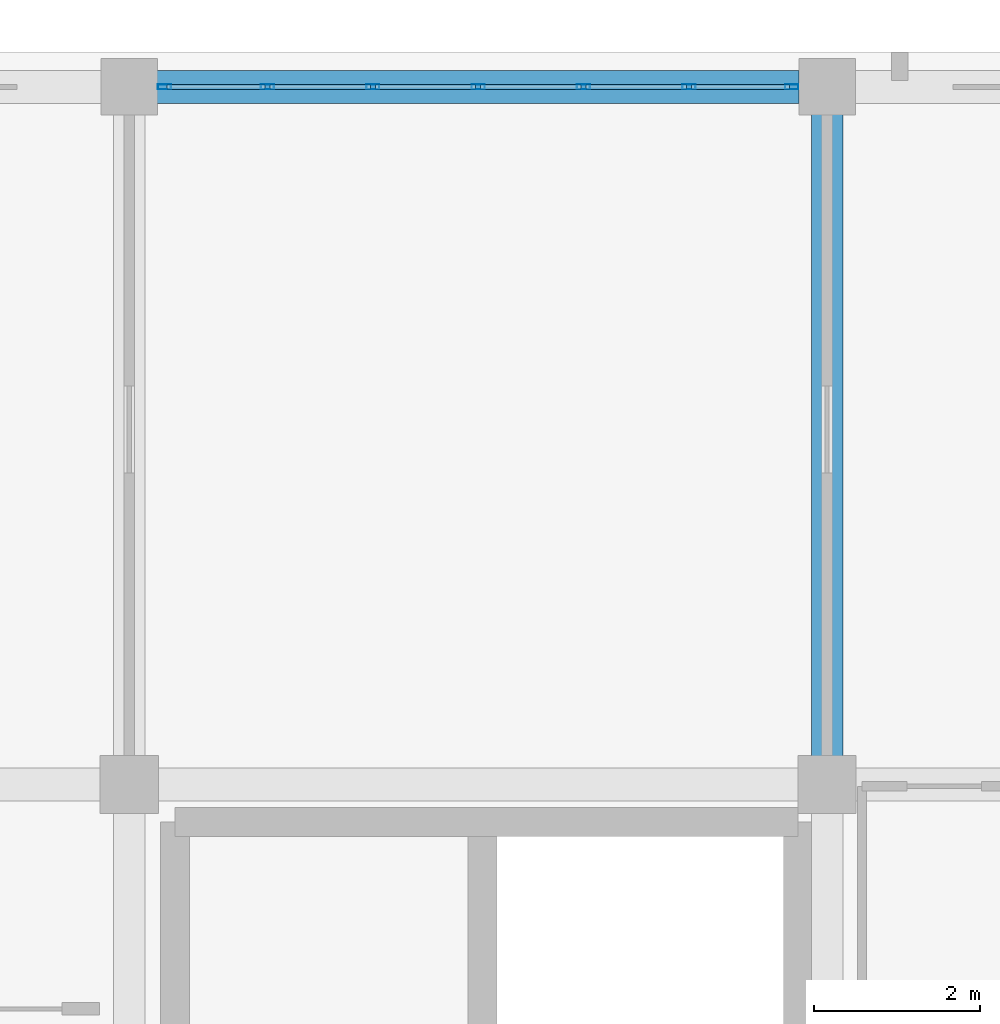
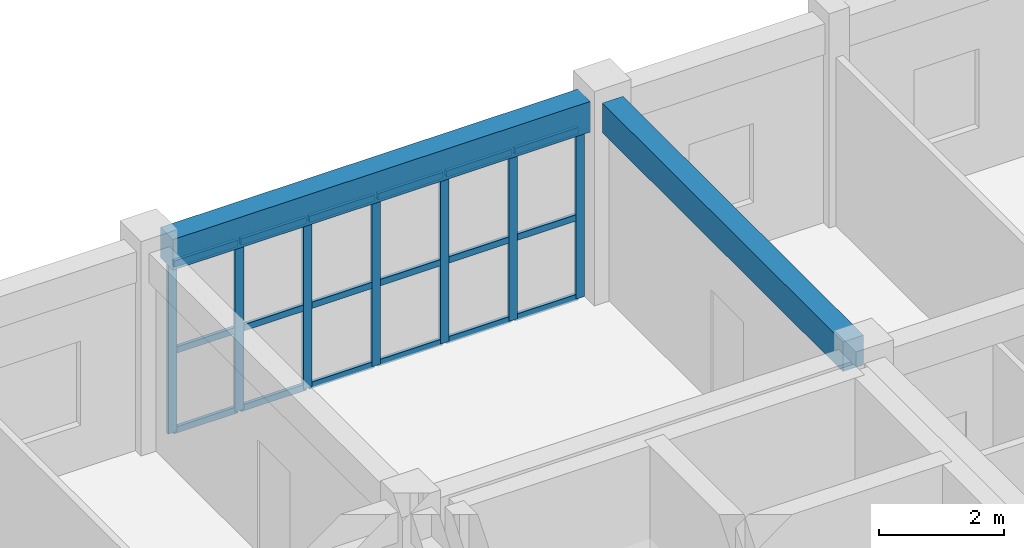
# One storey, part 56 of 140: 25 members, 2 beams, 1 element without a shape of its own.
"""IFC4 building model written with IfcOpenShell, lengths in metres."""

import ifcopenshell
import ifcopenshell.guid

model = None  # the IFC model being written
_history = None  # IfcOwnerHistory: only IFC2X3 demands one
_inside = {}  # id of a spatial element -> (the spatial element, [elements in it])
_under = {}  # id of a project, library or spatial element -> (it, [spatial elements below it])
_declared = {}  # id of a project -> (the project, [libraries it declares])
_typed = {}  # id of a type object -> (the type object, [elements of that type])
_made_of = {}  # id of a material, layer set ... -> (it, [elements and type objects made of it])


def new_model(schema):
    """Start an empty IFC model of exactly this schema.

    Asked for "IFC4X3", IfcOpenShell would pick the latest addendum, in which some entities
    have other attributes; the version numbers below select the first issue.
    IFC2X3 requires an IfcOwnerHistory on every rooted entity: one is made here for all.
    """
    global model, _history
    if schema == "IFC4X3":
        model = ifcopenshell.file(schema_version=(4, 3, 0, 0))
    else:
        model = ifcopenshell.file(schema=schema)
    _inside.clear()
    _under.clear()
    _declared.clear()
    _typed.clear()
    _made_of.clear()
    _history = None
    if model.schema == "IFC2X3":
        org = make("IfcOrganization", Name="unknown")
        user = make(
            "IfcPersonAndOrganization",
            ThePerson=make("IfcPerson", FamilyName="unknown"),
            TheOrganization=org,
        )
        app = make(
            "IfcApplication",
            ApplicationDeveloper=org,
            Version="unknown",
            ApplicationFullName="unknown",
            ApplicationIdentifier="unknown",
        )
        _history = make(
            "IfcOwnerHistory",
            OwningUser=user,
            OwningApplication=app,
            ChangeAction="ADDED",
            CreationDate=0,
        )
    return model


def make(cls, **values):
    """One entity of the class cls with the attributes given. An attribute that is None is left unset."""
    return model.create_entity(
        cls, **{name: value for name, value in values.items() if value is not None}
    )


def rooted(cls, **values):
    """An entity with a GlobalId (a new one), such as an element, a storey or a relation."""
    return make(cls, GlobalId=ifcopenshell.guid.new(), OwnerHistory=_history, **values)


def si_unit(unit_type, name, prefix=None):
    """IfcSIUnit, for example si_unit("LENGTHUNIT", "METRE", prefix="MILLI")."""
    return make("IfcSIUnit", UnitType=unit_type, Prefix=prefix, Name=name)


def assignment(units):
    """IfcUnitAssignment: the units of a project."""
    return None if units is None else make("IfcUnitAssignment", Units=units)


def point(xyz):
    """IfcCartesianPoint."""
    return None if xyz is None else make("IfcCartesianPoint", Coordinates=xyz)


def direction(xyz):
    """IfcDirection."""
    return None if xyz is None else make("IfcDirection", DirectionRatios=xyz)


def frame(location, z_axis=None, x_axis=None):
    """IfcAxis2Placement3D, a coordinate frame: its origin and axes. An axis left out is left unset."""
    return make(
        "IfcAxis2Placement3D",
        Location=point(location),
        Axis=direction(z_axis),
        RefDirection=direction(x_axis),
    )


def frame_2d(location, x_axis=None):
    """IfcAxis2Placement2D, a coordinate frame in the plane: its origin and x axis."""
    return make(
        "IfcAxis2Placement2D", Location=point(location), RefDirection=direction(x_axis)
    )


def origin():
    """The frame at (0, 0, 0) with its axes left unset."""
    return frame((0.0, 0.0, 0.0))


def origin_2d():
    """The frame at (0, 0) in the plane with its x axis left unset."""
    return frame_2d((0.0, 0.0))


def place(relative_to, where):
    """IfcLocalPlacement: puts the frame where relative to a parent placement (None: the world)."""
    return make(
        "IfcLocalPlacement", PlacementRelTo=relative_to, RelativePlacement=where
    )


def context(
    kind, dimensions, precision=None, world=None, true_north=None, identifier=None
):
    """IfcGeometricRepresentationContext, for example the 3D "Model" context."""
    return make(
        "IfcGeometricRepresentationContext",
        ContextIdentifier=identifier,
        ContextType=kind,
        CoordinateSpaceDimension=dimensions,
        Precision=precision,
        WorldCoordinateSystem=world,
        TrueNorth=true_north,
    )


def subcontext(parent, identifier, kind, view, scale=None):
    """IfcGeometricRepresentationSubContext, for example "Body" below "Model"."""
    return make(
        "IfcGeometricRepresentationSubContext",
        ContextIdentifier=identifier,
        ContextType=kind,
        ParentContext=parent,
        TargetScale=scale,
        TargetView=view,
    )


def project(units=None, contexts=None):
    """IfcProject with its units and contexts."""
    return rooted(
        "IfcProject",
        Name="project",
        RepresentationContexts=contexts,
        UnitsInContext=assignment(units),
    )


def spatial(cls, under=None, at=None, **own):
    """A site, building, storey or space (cls), placed at a placement, below another one or the project."""
    s = rooted(cls, ObjectPlacement=at, **own)
    if under is not None:
        _under.setdefault(under.id(), (under, []))[1].append(s)
    return s


def profile(cls, at=None, kind="AREA", **sizes):
    """A parametric profile (cls). Its sizes go by their IFC names, for example OverallWidth=200.0."""
    return make(cls, ProfileType=kind, Position=at, **sizes)


def rectangle(**sizes):
    """IfcRectangleProfileDef."""
    return profile("IfcRectangleProfileDef", **sizes)


def hollow_rectangle(**sizes):
    """IfcRectangleHollowProfileDef."""
    return profile("IfcRectangleHollowProfileDef", **sizes)


def extrude(swept, where, along, depth):
    """IfcExtrudedAreaSolid: the profile swept, set in the frame where, extruded along a direction by depth."""
    return make(
        "IfcExtrudedAreaSolid",
        SweptArea=swept,
        Position=where,
        ExtrudedDirection=direction(along),
        Depth=depth,
    )


def shape(context_of_items, identifier, shape_type, items):
    """IfcShapeRepresentation: the items that make up one representation, for example the "Body"."""
    return make(
        "IfcShapeRepresentation",
        ContextOfItems=context_of_items,
        RepresentationIdentifier=identifier,
        RepresentationType=shape_type,
        Items=items,
    )


def material(Name=None, Category=None):
    """IfcMaterial."""
    return make("IfcMaterial", Name=Name, Category=Category)


def layer(
    of_material, thickness, ventilated=None, Name=None, Category=None, Priority=None
):
    """IfcMaterialLayer: one layer of a wall or slab, of a material (None: an air gap)."""
    return make(
        "IfcMaterialLayer",
        Material=of_material,
        LayerThickness=thickness,
        IsVentilated=ventilated,
        Name=Name,
        Category=Category,
        Priority=Priority,
    )


def layer_set(layers, Name=None):
    """IfcMaterialLayerSet."""
    return make("IfcMaterialLayerSet", MaterialLayers=layers, LayerSetName=Name)


def material_profile(
    of_material, cross_section, Name=None, Category=None, Priority=None
):
    """IfcMaterialProfile: a cross section and its material."""
    return make(
        "IfcMaterialProfile",
        Name=Name,
        Material=of_material,
        Profile=cross_section,
        Priority=Priority,
        Category=Category,
    )


def profile_set(profiles, Name=None, composite=None):
    """IfcMaterialProfileSet."""
    return make(
        "IfcMaterialProfileSet",
        Name=Name,
        MaterialProfiles=profiles,
        CompositeProfile=composite,
    )


def made_of(thing, what):
    """Note that an element or type object is made of a material, layer set ...; save() writes the relation."""
    if what is not None:
        _made_of.setdefault(what.id(), (what, []))[1].append(thing)
    return thing


def type_object(cls, material=None, **own):
    """A type object (cls), such as IfcWallType, which elements share."""
    return made_of(rooted(cls, **own), material)


def element(
    cls,
    number,
    at=None,
    inside=None,
    cuts=None,
    type_object=None,
    material=None,
    context=None,
    identifier="Body",
    shape_type=None,
    held_by="IfcProductDefinitionShape",
    body=None,
    shapes=None,
    **own,
):
    """One element of the class cls, such as IfcWall. Its Tag is "e" and its number.

    at: its placement. inside: the storey or other place that contains it. cuts: it is an
    opening in that element (IfcRelVoidsElement). A single representation is given by context,
    identifier, shape_type and body (its items); several are given by shapes. held_by: the class
    of the entity that holds the representations. save() writes the other relations.
    """
    e = rooted(cls, Tag="e%d" % number, ObjectPlacement=at, **own)
    if body is not None:
        shapes = [shape(context, identifier, shape_type, body)]
    if shapes is not None:
        e.Representation = make(held_by, Representations=shapes)
    if inside is not None:
        _inside.setdefault(inside.id(), (inside, []))[1].append(e)
    if cuts is not None:
        rooted(
            "IfcRelVoidsElement", RelatingBuildingElement=cuts, RelatedOpeningElement=e
        )
    if type_object is not None:
        _typed.setdefault(type_object.id(), (type_object, []))[1].append(e)
    return made_of(e, material)


def aggregate(whole, parts):
    """IfcRelAggregates: a whole, such as a stair, and the parts it consists of."""
    return rooted("IfcRelAggregates", RelatingObject=whole, RelatedObjects=parts)


def save(model, path):
    """Write the relations noted so far, then the file.

    IfcRelAggregates (storeys below a building ...), IfcRelContainedInSpatialStructure (elements
    in a storey), IfcRelDefinesByType, IfcRelAssociatesMaterial and IfcRelDeclares: one each for
    every whole, place, type object, material and project.
    """
    for whole, parts in _under.values():
        aggregate(whole, parts)
    for where, things in _inside.values():
        rooted(
            "IfcRelContainedInSpatialStructure",
            RelatedElements=things,
            RelatingStructure=where,
        )
    for kind, things in _typed.values():
        rooted("IfcRelDefinesByType", RelatedObjects=things, RelatingType=kind)
    for what, things in _made_of.values():
        rooted("IfcRelAssociatesMaterial", RelatedObjects=things, RelatingMaterial=what)
    for by, libraries in _declared.values():
        rooted("IfcRelDeclares", RelatingContext=by, RelatedDefinitions=libraries)
    model.write(path)


model = new_model("IFC4")

# Units and contexts
model_context = context("Model", 3, precision=1e-05, world=origin(), true_north=direction((0.0, 1.0)))
body_context = subcontext(model_context, "Body", "Model", "MODEL_VIEW")
ifc_project = project(units=[si_unit("LENGTHUNIT", "METRE"), si_unit("AREAUNIT", "SQUARE_METRE"), si_unit("VOLUMEUNIT", "CUBIC_METRE"), si_unit("PLANEANGLEUNIT", "RADIAN"), si_unit("MASSUNIT", "GRAM", prefix="KILO")], contexts=[model_context])

# Site, building, storey
site_placement = place(None, origin())
site = spatial("IfcSite", under=ifc_project, at=site_placement, CompositionType="ELEMENT")
building_placement = place(site_placement, origin())
building = spatial("IfcBuilding", under=site, at=building_placement, Name="Trelvath General Hospital", CompositionType="ELEMENT")
storey_placement = place(building_placement, frame((0.0, 0.0, 16.199951171875)))
storey = spatial("IfcBuildingStorey", under=building, at=storey_placement, Name="L04", CompositionType="ELEMENT", Elevation=16.199951171875)

# Beams
ifc_material_1 = material(Name="Concrete C35/45", Category="concrete")
ifc_material_profile_1 = material_profile(ifc_material_1, rectangle(XDim=0.3798828125, YDim=0.580078125, at=origin_2d()), Name="RCB380x580")
ifc_profile_set_1 = profile_set([ifc_material_profile_1], Name="Concrete C35/45")
beam_type_1 = type_object("IfcBeamType", Name="Beam RC380x580", PredefinedType="BEAM", material=ifc_profile_set_1)
beam_1_placement = place(storey_placement, frame((50.39990234375, 109.544921875, 3.630126953125), z_axis=(0.0, 1.0, 0.0), x_axis=(-1.0, 0.0, 0.0)))
element("IfcBeam", 1, at=beam_1_placement, inside=storey, type_object=beam_type_1, Name="Grid Beam BY-406N", PredefinedType="BEAM", context=body_context, shape_type="SweptSolid", body=[
    extrude(rectangle(XDim=0.3798828125, YDim=0.580078125, at=origin_2d()), origin(), (0.0, 0.0, 1.0), 7.719970703125),
])
ifc_material_2 = material(Name="Concrete C35/45", Category="concrete")
ifc_material_profile_2 = material_profile(ifc_material_2, rectangle(XDim=0.39990234375, YDim=0.60009765625, at=origin_2d()), Name="RCB400x600")
ifc_profile_set_2 = profile_set([ifc_material_profile_2], Name="Concrete C35/45")
beam_type_2 = type_object("IfcBeamType", Name="Beam RC400x600", PredefinedType="BEAM", material=ifc_profile_set_2)
beam_2_placement = place(storey_placement, frame((42.3349609375, 117.60009765625, 3.6201171875), z_axis=(1.0, 0.0, 0.0), x_axis=(0.0, 1.0, 0.0)))
element("IfcBeam", 2, at=beam_2_placement, inside=storey, type_object=beam_type_2, Name="Grid Beam BX-405O", PredefinedType="BEAM", context=body_context, shape_type="SweptSolid", body=[
    extrude(rectangle(XDim=0.39990234375, YDim=0.60009765625, at=origin_2d()), origin(), (0.0, 0.0, 1.0), 7.72998046875),
])

# Curtain wall, members
ifc_material_3 = material(Name="Anodised aluminium and low-E glass", Category="aluminium")
ifc_layer = layer(ifc_material_3, 0.14990234375)
ifc_layer_set = layer_set([ifc_layer], Name="Anodised aluminium and low-E glass")
curtain_wall_type = type_object("IfcCurtainWallType", Name="CW Facade 761 332 15", PredefinedType="USERDEFINED", material=ifc_layer_set)
curtain_wall_placement = place(storey_placement, origin())
curtain_wall = element("IfcCurtainWall", 3, at=curtain_wall_placement, inside=storey, type_object=curtain_wall_type, Name="Facade Curtain Wall CW-063", ObjectType="Unitised Glazed Curtain Wall", PredefinedType="USERDEFINED")
ifc_material_4 = material(Name="Anodised aluminium", Category="aluminium")
ifc_material_profile_3 = material_profile(ifc_material_4, hollow_rectangle(XDim=0.06005859375, YDim=0.159912109375, WallThickness=0.00390625, at=origin_2d()), Name="RHS60x160x4")
ifc_profile_set_3 = profile_set([ifc_material_profile_3], Name="Anodised aluminium")
member_type_1 = type_object("IfcMemberType", Name="CurtainMullion 60x160", PredefinedType="MULLION", material=ifc_profile_set_3)
member_1_placement = place(storey_placement, frame((42.425048828125, 117.60009765625, 0.0), z_axis=(0.0, 0.0, 1.0), x_axis=(0.0, 1.0, 0.0)))
member_1 = element("IfcMember", 4, at=member_1_placement, type_object=member_type_1, Name="CW-063 mullion 1", PredefinedType="MULLION", context=body_context, shape_type="SweptSolid", body=[
    extrude(hollow_rectangle(XDim=0.06005859375, YDim=0.159912109375, WallThickness=0.00390625, at=origin_2d()), origin(), (0.0, 0.0, 1.0), 3.320068359375),
])
member_2_placement = place(storey_placement, frame((43.663330078125, 117.60009765625, 0.0), z_axis=(0.0, 0.0, 1.0), x_axis=(0.0, 1.0, 0.0)))
member_2 = element("IfcMember", 5, at=member_2_placement, type_object=member_type_1, Name="CW-063 mullion 2", PredefinedType="MULLION", context=body_context, shape_type="SweptSolid", body=[
    extrude(hollow_rectangle(XDim=0.06005859375, YDim=0.159912109375, WallThickness=0.00390625, at=origin_2d()), origin(), (0.0, 0.0, 1.0), 3.320068359375),
])
member_3_placement = place(storey_placement, frame((44.931640625, 117.60009765625, 0.0), z_axis=(0.0, 0.0, 1.0), x_axis=(0.0, 1.0, 0.0)))
member_3 = element("IfcMember", 6, at=member_3_placement, type_object=member_type_1, Name="CW-063 mullion 3", PredefinedType="MULLION", context=body_context, shape_type="SweptSolid", body=[
    extrude(hollow_rectangle(XDim=0.06005859375, YDim=0.159912109375, WallThickness=0.00390625, at=origin_2d()), origin(), (0.0, 0.0, 1.0), 3.320068359375),
])
member_4_placement = place(storey_placement, frame((46.199951171875, 117.60009765625, 0.0), z_axis=(0.0, 0.0, 1.0), x_axis=(0.0, 1.0, 0.0)))
member_4 = element("IfcMember", 7, at=member_4_placement, type_object=member_type_1, Name="CW-063 mullion 4", PredefinedType="MULLION", context=body_context, shape_type="SweptSolid", body=[
    extrude(hollow_rectangle(XDim=0.06005859375, YDim=0.159912109375, WallThickness=0.00390625, at=origin_2d()), origin(), (0.0, 0.0, 1.0), 3.320068359375),
])
member_5_placement = place(storey_placement, frame((47.46826171875, 117.60009765625, 0.0), z_axis=(0.0, 0.0, 1.0), x_axis=(0.0, 1.0, 0.0)))
member_5 = element("IfcMember", 8, at=member_5_placement, type_object=member_type_1, Name="CW-063 mullion 5", PredefinedType="MULLION", context=body_context, shape_type="SweptSolid", body=[
    extrude(hollow_rectangle(XDim=0.06005859375, YDim=0.159912109375, WallThickness=0.00390625, at=origin_2d()), origin(), (0.0, 0.0, 1.0), 3.320068359375),
])
member_6_placement = place(storey_placement, frame((48.736572265625, 117.60009765625, 0.0), z_axis=(0.0, 0.0, 1.0), x_axis=(0.0, 1.0, 0.0)))
member_6 = element("IfcMember", 9, at=member_6_placement, type_object=member_type_1, Name="CW-063 mullion 6", PredefinedType="MULLION", context=body_context, shape_type="SweptSolid", body=[
    extrude(hollow_rectangle(XDim=0.06005859375, YDim=0.159912109375, WallThickness=0.00390625, at=origin_2d()), origin(), (0.0, 0.0, 1.0), 3.320068359375),
])
member_7_placement = place(storey_placement, frame((49.97509765625, 117.60009765625, 0.0), z_axis=(0.0, 0.0, 1.0), x_axis=(0.0, 1.0, 0.0)))
member_7 = element("IfcMember", 10, at=member_7_placement, type_object=member_type_1, Name="CW-063 mullion 7", PredefinedType="MULLION", context=body_context, shape_type="SweptSolid", body=[
    extrude(hollow_rectangle(XDim=0.06005859375, YDim=0.159912109375, WallThickness=0.00390625, at=origin_2d()), origin(), (0.0, 0.0, 1.0), 3.320068359375),
])
ifc_material_5 = material(Name="Anodised aluminium", Category="aluminium")
ifc_material_profile_4 = material_profile(ifc_material_5, hollow_rectangle(XDim=0.06005859375, YDim=0.125, WallThickness=0.00390625, at=origin_2d()), Name="RHS60x125x4")
ifc_profile_set_4 = profile_set([ifc_material_profile_4], Name="Anodised aluminium")
member_type_2 = type_object("IfcMemberType", Name="CurtainTransom 60x125", PredefinedType="USERDEFINED", material=ifc_profile_set_4)
member_8_placement = place(storey_placement, frame((42.455078125, 117.60009765625, 0.030029296875), z_axis=(1.0, 0.0, 0.0), x_axis=(0.0, 1.0, 0.0)))
member_8 = element("IfcMember", 11, at=member_8_placement, type_object=member_type_2, Name="CW-063 transom 1.1", ObjectType="TRANSOM", PredefinedType="USERDEFINED", context=body_context, shape_type="SweptSolid", body=[
    extrude(hollow_rectangle(XDim=0.06005859375, YDim=0.125, WallThickness=0.00390625, at=origin_2d()), origin(), (0.0, 0.0, 1.0), 1.17822265625),
])
member_9_placement = place(storey_placement, frame((42.455078125, 117.60009765625, 1.593994140625), z_axis=(1.0, 0.0, 0.0), x_axis=(0.0, 1.0, 0.0)))
member_9 = element("IfcMember", 12, at=member_9_placement, type_object=member_type_2, Name="CW-063 transom 1.2", ObjectType="TRANSOM", PredefinedType="USERDEFINED", context=body_context, shape_type="SweptSolid", body=[
    extrude(hollow_rectangle(XDim=0.06005859375, YDim=0.125, WallThickness=0.00390625, at=origin_2d()), origin(), (0.0, 0.0, 1.0), 1.17822265625),
])
member_10_placement = place(storey_placement, frame((42.455078125, 117.60009765625, 3.2900390625), z_axis=(1.0, 0.0, 0.0), x_axis=(0.0, 1.0, 0.0)))
member_10 = element("IfcMember", 13, at=member_10_placement, type_object=member_type_2, Name="CW-063 transom 1.3", ObjectType="TRANSOM", PredefinedType="USERDEFINED", context=body_context, shape_type="SweptSolid", body=[
    extrude(hollow_rectangle(XDim=0.06005859375, YDim=0.125, WallThickness=0.00390625, at=origin_2d()), origin(), (0.0, 0.0, 1.0), 1.17822265625),
])
member_11_placement = place(storey_placement, frame((43.693359375, 117.60009765625, 0.030029296875), z_axis=(1.0, 0.0, 0.0), x_axis=(0.0, 1.0, 0.0)))
member_11 = element("IfcMember", 14, at=member_11_placement, type_object=member_type_2, Name="CW-063 transom 2.1", ObjectType="TRANSOM", PredefinedType="USERDEFINED", context=body_context, shape_type="SweptSolid", body=[
    extrude(hollow_rectangle(XDim=0.06005859375, YDim=0.125, WallThickness=0.00390625, at=origin_2d()), origin(), (0.0, 0.0, 1.0), 1.208251953125),
])
member_12_placement = place(storey_placement, frame((43.693359375, 117.60009765625, 1.593994140625), z_axis=(1.0, 0.0, 0.0), x_axis=(0.0, 1.0, 0.0)))
member_12 = element("IfcMember", 15, at=member_12_placement, type_object=member_type_2, Name="CW-063 transom 2.2", ObjectType="TRANSOM", PredefinedType="USERDEFINED", context=body_context, shape_type="SweptSolid", body=[
    extrude(hollow_rectangle(XDim=0.06005859375, YDim=0.125, WallThickness=0.00390625, at=origin_2d()), origin(), (0.0, 0.0, 1.0), 1.208251953125),
])
member_13_placement = place(storey_placement, frame((43.693359375, 117.60009765625, 3.2900390625), z_axis=(1.0, 0.0, 0.0), x_axis=(0.0, 1.0, 0.0)))
member_13 = element("IfcMember", 16, at=member_13_placement, type_object=member_type_2, Name="CW-063 transom 2.3", ObjectType="TRANSOM", PredefinedType="USERDEFINED", context=body_context, shape_type="SweptSolid", body=[
    extrude(hollow_rectangle(XDim=0.06005859375, YDim=0.125, WallThickness=0.00390625, at=origin_2d()), origin(), (0.0, 0.0, 1.0), 1.208251953125),
])
member_14_placement = place(storey_placement, frame((44.961669921875, 117.60009765625, 0.030029296875), z_axis=(1.0, 0.0, 0.0), x_axis=(0.0, 1.0, 0.0)))
member_14 = element("IfcMember", 17, at=member_14_placement, type_object=member_type_2, Name="CW-063 transom 3.1", ObjectType="TRANSOM", PredefinedType="USERDEFINED", context=body_context, shape_type="SweptSolid", body=[
    extrude(hollow_rectangle(XDim=0.06005859375, YDim=0.125, WallThickness=0.00390625, at=origin_2d()), origin(), (0.0, 0.0, 1.0), 1.208251953125),
])
member_15_placement = place(storey_placement, frame((44.961669921875, 117.60009765625, 1.593994140625), z_axis=(1.0, 0.0, 0.0), x_axis=(0.0, 1.0, 0.0)))
member_15 = element("IfcMember", 18, at=member_15_placement, type_object=member_type_2, Name="CW-063 transom 3.2", ObjectType="TRANSOM", PredefinedType="USERDEFINED", context=body_context, shape_type="SweptSolid", body=[
    extrude(hollow_rectangle(XDim=0.06005859375, YDim=0.125, WallThickness=0.00390625, at=origin_2d()), origin(), (0.0, 0.0, 1.0), 1.208251953125),
])
member_16_placement = place(storey_placement, frame((44.961669921875, 117.60009765625, 3.2900390625), z_axis=(1.0, 0.0, 0.0), x_axis=(0.0, 1.0, 0.0)))
member_16 = element("IfcMember", 19, at=member_16_placement, type_object=member_type_2, Name="CW-063 transom 3.3", ObjectType="TRANSOM", PredefinedType="USERDEFINED", context=body_context, shape_type="SweptSolid", body=[
    extrude(hollow_rectangle(XDim=0.06005859375, YDim=0.125, WallThickness=0.00390625, at=origin_2d()), origin(), (0.0, 0.0, 1.0), 1.208251953125),
])
member_17_placement = place(storey_placement, frame((46.22998046875, 117.60009765625, 0.030029296875), z_axis=(1.0, 0.0, 0.0), x_axis=(0.0, 1.0, 0.0)))
member_17 = element("IfcMember", 20, at=member_17_placement, type_object=member_type_2, Name="CW-063 transom 4.1", ObjectType="TRANSOM", PredefinedType="USERDEFINED", context=body_context, shape_type="SweptSolid", body=[
    extrude(hollow_rectangle(XDim=0.06005859375, YDim=0.125, WallThickness=0.00390625, at=origin_2d()), origin(), (0.0, 0.0, 1.0), 1.208251953125),
])
member_18_placement = place(storey_placement, frame((46.22998046875, 117.60009765625, 1.593994140625), z_axis=(1.0, 0.0, 0.0), x_axis=(0.0, 1.0, 0.0)))
member_18 = element("IfcMember", 21, at=member_18_placement, type_object=member_type_2, Name="CW-063 transom 4.2", ObjectType="TRANSOM", PredefinedType="USERDEFINED", context=body_context, shape_type="SweptSolid", body=[
    extrude(hollow_rectangle(XDim=0.06005859375, YDim=0.125, WallThickness=0.00390625, at=origin_2d()), origin(), (0.0, 0.0, 1.0), 1.208251953125),
])
member_19_placement = place(storey_placement, frame((46.22998046875, 117.60009765625, 3.2900390625), z_axis=(1.0, 0.0, 0.0), x_axis=(0.0, 1.0, 0.0)))
member_19 = element("IfcMember", 22, at=member_19_placement, type_object=member_type_2, Name="CW-063 transom 4.3", ObjectType="TRANSOM", PredefinedType="USERDEFINED", context=body_context, shape_type="SweptSolid", body=[
    extrude(hollow_rectangle(XDim=0.06005859375, YDim=0.125, WallThickness=0.00390625, at=origin_2d()), origin(), (0.0, 0.0, 1.0), 1.208251953125),
])
member_20_placement = place(storey_placement, frame((47.498291015625, 117.60009765625, 0.030029296875), z_axis=(1.0, 0.0, 0.0), x_axis=(0.0, 1.0, 0.0)))
member_20 = element("IfcMember", 23, at=member_20_placement, type_object=member_type_2, Name="CW-063 transom 5.1", ObjectType="TRANSOM", PredefinedType="USERDEFINED", context=body_context, shape_type="SweptSolid", body=[
    extrude(hollow_rectangle(XDim=0.06005859375, YDim=0.125, WallThickness=0.00390625, at=origin_2d()), origin(), (0.0, 0.0, 1.0), 1.20849609375),
])
member_21_placement = place(storey_placement, frame((47.498291015625, 117.60009765625, 1.593994140625), z_axis=(1.0, 0.0, 0.0), x_axis=(0.0, 1.0, 0.0)))
member_21 = element("IfcMember", 24, at=member_21_placement, type_object=member_type_2, Name="CW-063 transom 5.2", ObjectType="TRANSOM", PredefinedType="USERDEFINED", context=body_context, shape_type="SweptSolid", body=[
    extrude(hollow_rectangle(XDim=0.06005859375, YDim=0.125, WallThickness=0.00390625, at=origin_2d()), origin(), (0.0, 0.0, 1.0), 1.20849609375),
])
member_22_placement = place(storey_placement, frame((47.498291015625, 117.60009765625, 3.2900390625), z_axis=(1.0, 0.0, 0.0), x_axis=(0.0, 1.0, 0.0)))
member_22 = element("IfcMember", 25, at=member_22_placement, type_object=member_type_2, Name="CW-063 transom 5.3", ObjectType="TRANSOM", PredefinedType="USERDEFINED", context=body_context, shape_type="SweptSolid", body=[
    extrude(hollow_rectangle(XDim=0.06005859375, YDim=0.125, WallThickness=0.00390625, at=origin_2d()), origin(), (0.0, 0.0, 1.0), 1.20849609375),
])
member_23_placement = place(storey_placement, frame((48.7666015625, 117.60009765625, 0.030029296875), z_axis=(1.0, 0.0, 0.0), x_axis=(0.0, 1.0, 0.0)))
member_23 = element("IfcMember", 26, at=member_23_placement, type_object=member_type_2, Name="CW-063 transom 6.1", ObjectType="TRANSOM", PredefinedType="USERDEFINED", context=body_context, shape_type="SweptSolid", body=[
    extrude(hollow_rectangle(XDim=0.06005859375, YDim=0.125, WallThickness=0.00390625, at=origin_2d()), origin(), (0.0, 0.0, 1.0), 1.178466796875),
])
member_24_placement = place(storey_placement, frame((48.7666015625, 117.60009765625, 1.593994140625), z_axis=(1.0, 0.0, 0.0), x_axis=(0.0, 1.0, 0.0)))
member_24 = element("IfcMember", 27, at=member_24_placement, type_object=member_type_2, Name="CW-063 transom 6.2", ObjectType="TRANSOM", PredefinedType="USERDEFINED", context=body_context, shape_type="SweptSolid", body=[
    extrude(hollow_rectangle(XDim=0.06005859375, YDim=0.125, WallThickness=0.00390625, at=origin_2d()), origin(), (0.0, 0.0, 1.0), 1.178466796875),
])
member_25_placement = place(storey_placement, frame((48.7666015625, 117.60009765625, 3.2900390625), z_axis=(1.0, 0.0, 0.0), x_axis=(0.0, 1.0, 0.0)))
member_25 = element("IfcMember", 28, at=member_25_placement, type_object=member_type_2, Name="CW-063 transom 6.3", ObjectType="TRANSOM", PredefinedType="USERDEFINED", context=body_context, shape_type="SweptSolid", body=[
    extrude(hollow_rectangle(XDim=0.06005859375, YDim=0.125, WallThickness=0.00390625, at=origin_2d()), origin(), (0.0, 0.0, 1.0), 1.178466796875),
])
aggregate(curtain_wall, [member_1, member_2, member_3, member_4, member_5, member_6, member_7, member_8, member_9, member_10, member_11, member_12, member_13, member_14, member_15, member_16, member_17, member_18, member_19, member_20, member_21, member_22, member_23, member_24, member_25])

save(model, "model.ifc")
